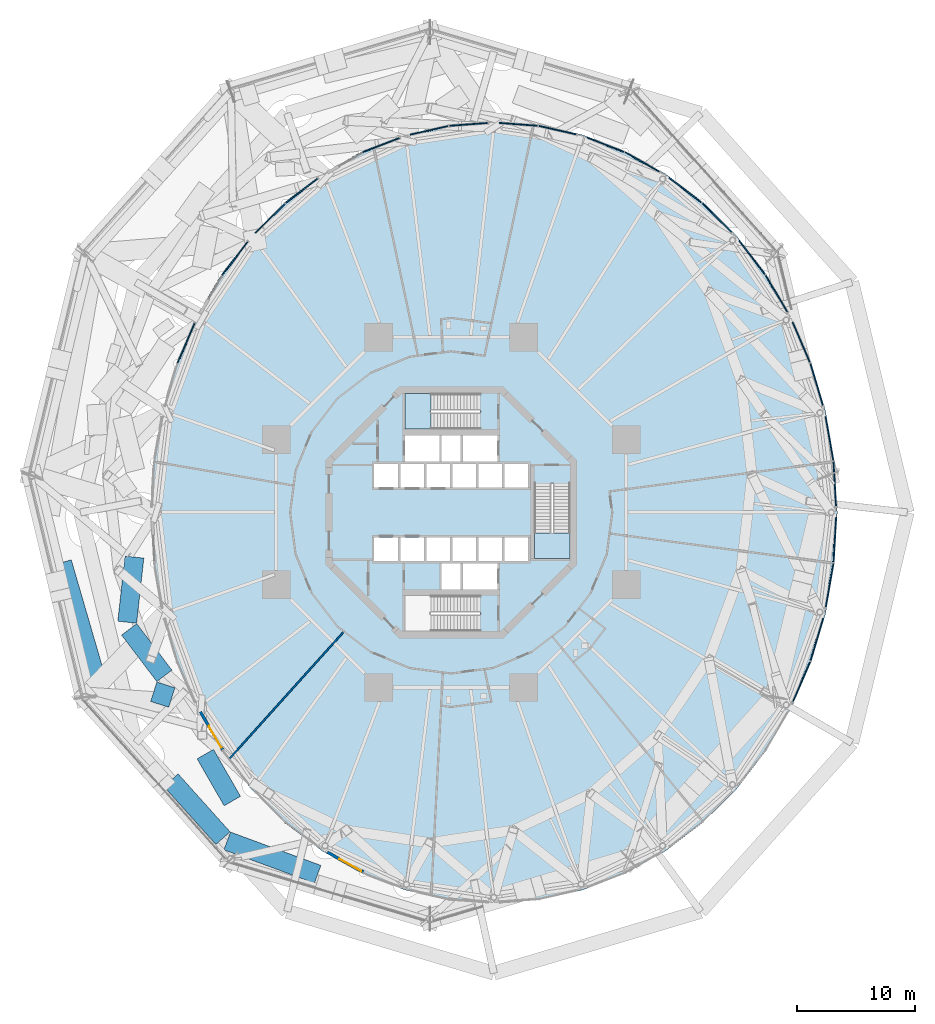
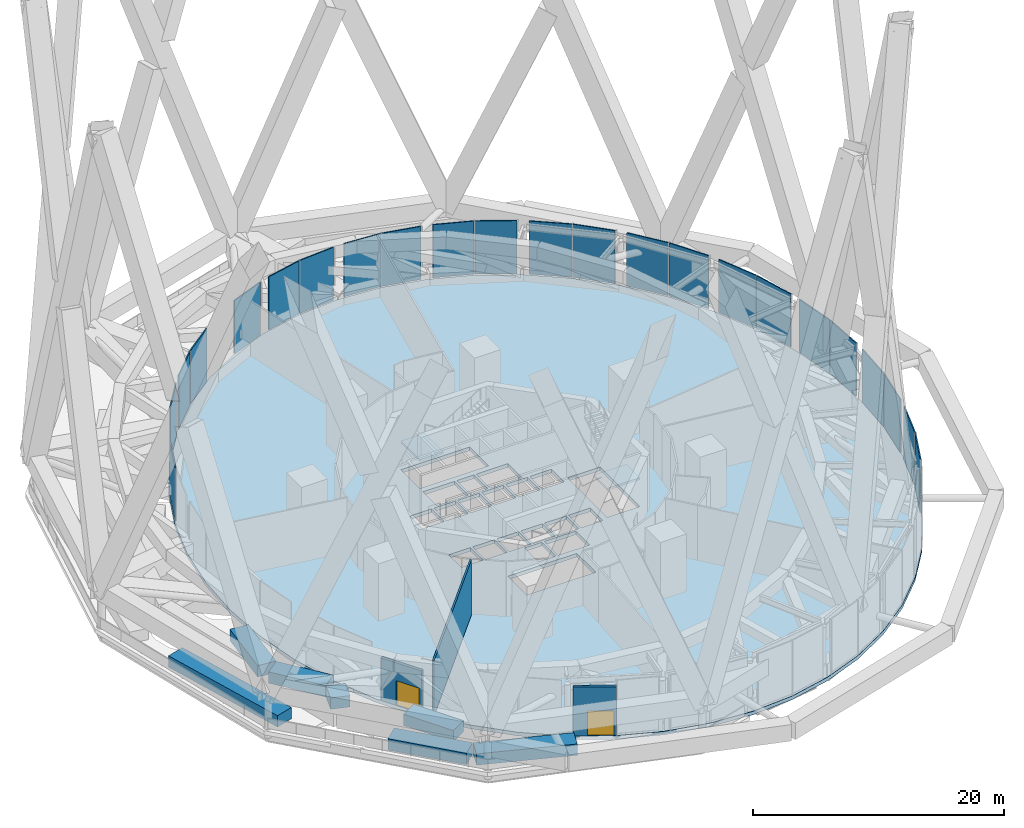
# One storey, part 38 of 51: 23 plates, 10 walls, 3 slabs, 2 doors, 2 openings, 25 elements without a shape of their own.
"""IFC4 building model written with IfcOpenShell, lengths in metres."""

from ifc_helpers import new_model, si_unit, direction, frame, frame_2d, origin, origin_2d, place, context, subcontext, project, spatial, polyline, rectangle, outline, extrude, material, layer, layer_set, type_object, element, fill, aggregate, save


model = new_model("IFC4")

# Units and contexts
model_context = context("Model", 3, precision=1e-05, world=origin(), true_north=direction((0.0, 1.0)))
body_context = subcontext(model_context, "Body", "Model", "MODEL_VIEW")
ifc_project = project(units=[si_unit("LENGTHUNIT", "METRE"), si_unit("AREAUNIT", "SQUARE_METRE"), si_unit("VOLUMEUNIT", "CUBIC_METRE"), si_unit("PLANEANGLEUNIT", "RADIAN"), si_unit("MASSUNIT", "GRAM", prefix="KILO")], contexts=[model_context])

# Site, building, storey
site_placement = place(None, origin())
site = spatial("IfcSite", under=ifc_project, at=site_placement, CompositionType="ELEMENT")
building_placement = place(site_placement, origin())
building = spatial("IfcBuilding", under=site, at=building_placement, Name="Nagisa Residences", CompositionType="ELEMENT")
storey_placement = place(building_placement, frame((0.0, 0.0, 67.699951171875)))
storey = spatial("IfcBuildingStorey", under=building, at=storey_placement, Name="L16", CompositionType="ELEMENT", Elevation=67.699951171875)

# Curtain wall, plate
ifc_material_1 = material(Name="Aluminium curtain wall system", Category="aluminium")
ifc_layer_1 = layer(ifc_material_1, 0.159912109375)
ifc_layer_set_1 = layer_set([ifc_layer_1], Name="CW2 CURTAIN WALL")
curtain_wall_type = type_object("IfcCurtainWallType", Name="CW2 CURTAIN WALL", PredefinedType="NOTDEFINED", material=ifc_layer_set_1)
curtain_wall_1_placement = place(storey_placement, origin())
curtain_wall_1 = element("IfcCurtainWall", 1, at=curtain_wall_1_placement, inside=storey, type_object=curtain_wall_type, Name="cw:CW2:L16:00", PredefinedType="NOTDEFINED")
ifc_material_2 = material(Name="Insulated metal spandrel panel")
ifc_layer_2 = layer(ifc_material_2, 0.10009765625)
ifc_layer_set_2 = layer_set([ifc_layer_2], Name="CW2 SPANDREL PANEL")
plate_type = type_object("IfcPlateType", Name="CW2 SPANDREL PANEL", PredefinedType="SHEET", material=ifc_layer_set_2)
plate_1_placement = place(storey_placement, frame((32.380859375, 2.41357421875, 0.18017578125), z_axis=(0.0, 0.0, 1.0), x_axis=(-0.057503492216, 0.998345305184, 0.0)))
plate_1 = element("IfcPlate", 2, at=plate_1_placement, type_object=plate_type, Name="CW2 spandrel panel", PredefinedType="SHEET", context=body_context, shape_type="SweptSolid", body=[
    extrude(rectangle(XDim=3.784423828125, YDim=0.10009765625, at=origin_2d()), origin(), (0.0, 0.0, 1.0), 5.159912109375),
])
aggregate(curtain_wall_1, [plate_1])

curtain_wall_2_placement = place(storey_placement, origin())
curtain_wall_2 = element("IfcCurtainWall", 3, at=curtain_wall_2_placement, inside=storey, type_object=curtain_wall_type, Name="cw:CW2:L16:01", PredefinedType="NOTDEFINED")
plate_2_placement = place(storey_placement, frame((31.934814453125, 6.228271484375, 0.18017578125), z_axis=(0.0, 0.0, 1.0), x_axis=(-0.172190868898, 0.985063604377, 0.0)))
plate_2 = element("IfcPlate", 4, at=plate_2_placement, type_object=plate_type, Name="CW2 spandrel panel", PredefinedType="SHEET", context=body_context, shape_type="SweptSolid", body=[
    extrude(rectangle(XDim=3.767822265625, YDim=0.10009765625, at=origin_2d()), origin(), (0.0, 0.0, 1.0), 5.159912109375),
])
aggregate(curtain_wall_2, [plate_2])

curtain_wall_3_placement = place(storey_placement, origin())
curtain_wall_3 = element("IfcCurtainWall", 5, at=curtain_wall_3_placement, inside=storey, type_object=curtain_wall_type, Name="cw:CW2:L16:02", PredefinedType="NOTDEFINED")
plate_3_placement = place(storey_placement, frame((30.849853515625, 10.81591796875, 0.18017578125), z_axis=(0.0, 0.0, 1.0), x_axis=(-0.285860274038, 0.958271310082, 0.0)))
plate_3 = element("IfcPlate", 6, at=plate_3_placement, type_object=plate_type, Name="CW2 spandrel panel", PredefinedType="SHEET", context=body_context, shape_type="SweptSolid", body=[
    extrude(rectangle(XDim=3.735595703125, YDim=0.10009765625, at=origin_2d()), origin(), (0.0, 0.0, 1.0), 5.159912109375),
])
aggregate(curtain_wall_3, [plate_3])

curtain_wall_4_placement = place(storey_placement, origin())
curtain_wall_4 = element("IfcCurtainWall", 7, at=curtain_wall_4_placement, inside=storey, type_object=curtain_wall_type, Name="cw:CW2:L16:03", PredefinedType="NOTDEFINED")
plate_4_placement = place(storey_placement, frame((29.5537109375, 14.36279296875, 0.18017578125), z_axis=(0.0, 0.0, 1.0), x_axis=(-0.397635934147, 0.917543276295, 0.0)))
plate_4 = element("IfcPlate", 8, at=plate_4_placement, type_object=plate_type, Name="CW2 spandrel panel", PredefinedType="SHEET", context=body_context, shape_type="SweptSolid", body=[
    extrude(rectangle(XDim=3.689453125, YDim=0.10009765625, at=origin_2d()), origin(), (0.0, 0.0, 1.0), 5.159912109375),
])
aggregate(curtain_wall_4, [plate_4])

curtain_wall_5_placement = place(storey_placement, origin())
curtain_wall_5 = element("IfcCurtainWall", 9, at=curtain_wall_5_placement, inside=storey, type_object=curtain_wall_type, Name="cw:CW2:L16:04", PredefinedType="NOTDEFINED")
plate_5_placement = place(storey_placement, frame((27.457763671875, 18.482666015625, 0.18017578125), z_axis=(0.0, 0.0, 1.0), x_axis=(-0.506348567002, 0.862328898214, 0.0)))
plate_5 = element("IfcPlate", 10, at=plate_5_placement, type_object=plate_type, Name="CW2 spandrel panel", PredefinedType="SHEET", context=body_context, shape_type="SweptSolid", body=[
    extrude(rectangle(XDim=3.632080078125, YDim=0.10009765625, at=origin_2d()), origin(), (0.0, 0.0, 1.0), 5.159912109375),
])
aggregate(curtain_wall_5, [plate_5])

curtain_wall_6_placement = place(storey_placement, origin())
curtain_wall_6 = element("IfcCurtainWall", 11, at=curtain_wall_6_placement, inside=storey, type_object=curtain_wall_type, Name="cw:CW2:L16:05", PredefinedType="NOTDEFINED")
plate_6_placement = place(storey_placement, frame((25.40625, 21.516357421875, 0.18017578125), z_axis=(0.0, 0.0, 1.0), x_axis=(-0.610429828235, 0.792070340816, 0.0)))
plate_6 = element("IfcPlate", 12, at=plate_6_placement, type_object=plate_type, Name="CW2 spandrel panel", PredefinedType="SHEET", context=body_context, shape_type="SweptSolid", body=[
    extrude(rectangle(XDim=3.5673828125, YDim=0.10009765625, at=origin_2d()), origin(), (0.0, 0.0, 1.0), 5.159912109375),
])
aggregate(curtain_wall_6, [plate_6])

curtain_wall_7_placement = place(storey_placement, origin())
curtain_wall_7 = element("IfcCurtainWall", 13, at=curtain_wall_7_placement, inside=storey, type_object=curtain_wall_type, Name="cw:CW2:L16:06", PredefinedType="NOTDEFINED")
plate_7_placement = place(storey_placement, frame((22.43603515625, 24.88818359375, 0.18017578125), z_axis=(0.0, 0.0, 1.0), x_axis=(-0.707835924016, 0.706376885714, 0.0)))
plate_7 = element("IfcPlate", 14, at=plate_7_placement, type_object=plate_type, Name="CW2 spandrel panel", PredefinedType="SHEET", context=body_context, shape_type="SweptSolid", body=[
    extrude(rectangle(XDim=3.499267578125, YDim=0.10009765625, at=origin_2d()), origin(), (0.0, 0.0, 1.0), 5.159912109375),
])
aggregate(curtain_wall_7, [plate_7])

curtain_wall_8_placement = place(storey_placement, origin())
curtain_wall_8 = element("IfcCurtainWall", 15, at=curtain_wall_8_placement, inside=storey, type_object=curtain_wall_type, Name="cw:CW2:L16:07", PredefinedType="NOTDEFINED")
plate_8_placement = place(storey_placement, frame((19.77587890625, 27.2041015625, 0.18017578125), z_axis=(0.0, 0.0, 1.0), x_axis=(-0.79603132756, 0.605255421737, 0.0)))
plate_8 = element("IfcPlate", 16, at=plate_8_placement, type_object=plate_type, Name="CW2 spandrel panel", PredefinedType="SHEET", context=body_context, shape_type="SweptSolid", body=[
    extrude(rectangle(XDim=3.432373046875, YDim=0.10009765625, at=origin_2d()), origin(), (0.0, 0.0, 1.0), 5.159912109375),
])
aggregate(curtain_wall_8, [plate_8])

curtain_wall_9_placement = place(storey_placement, origin())
curtain_wall_9 = element("IfcCurtainWall", 17, at=curtain_wall_9_placement, inside=storey, type_object=curtain_wall_type, Name="cw:CW2:L16:08", PredefinedType="NOTDEFINED")
plate_9_placement = place(storey_placement, frame((16.128662109375, 29.59326171875, 0.18017578125), z_axis=(0.0, 0.0, 1.0), x_axis=(-0.872072377523, 0.489376918501, 0.0)))
plate_9 = element("IfcPlate", 18, at=plate_9_placement, type_object=plate_type, Name="CW2 spandrel panel", PredefinedType="SHEET", context=body_context, shape_type="SweptSolid", body=[
    extrude(rectangle(XDim=3.371337890625, YDim=0.10009765625, at=origin_2d()), origin(), (0.0, 0.0, 1.0), 5.159912109375),
])
aggregate(curtain_wall_9, [plate_9])

curtain_wall_10_placement = place(storey_placement, origin())
curtain_wall_10 = element("IfcCurtainWall", 19, at=curtain_wall_10_placement, inside=storey, type_object=curtain_wall_type, Name="cw:CW2:L16:09", PredefinedType="NOTDEFINED")
plate_10_placement = place(storey_placement, frame((13.045654296875, 31.04052734375, 0.18017578125), z_axis=(0.0, 0.0, 1.0), x_axis=(-0.932825759707, 0.360327770268, 0.0)))
plate_10 = element("IfcPlate", 20, at=plate_10_placement, type_object=plate_type, Name="CW2 spandrel panel", PredefinedType="SHEET", context=body_context, shape_type="SweptSolid", body=[
    extrude(rectangle(XDim=3.32080078125, YDim=0.10009765625, at=origin_2d()), origin(), (0.0, 0.0, 1.0), 5.159912109375),
])
aggregate(curtain_wall_10, [plate_10])

curtain_wall_11_placement = place(storey_placement, origin())
curtain_wall_11 = element("IfcCurtainWall", 21, at=curtain_wall_11_placement, inside=storey, type_object=curtain_wall_type, Name="cw:CW2:L16:10", PredefinedType="NOTDEFINED")
plate_11_placement = place(storey_placement, frame((8.969482421875, 32.277099609375, 0.18017578125), z_axis=(0.0, 0.0, 1.0), x_axis=(-0.975327274089, 0.2207639201, 0.0)))
plate_11 = element("IfcPlate", 22, at=plate_11_placement, type_object=plate_type, Name="CW2 spandrel panel", PredefinedType="SHEET", context=body_context, shape_type="SweptSolid", body=[
    extrude(rectangle(XDim=3.28466796875, YDim=0.10009765625, at=origin_2d()), origin(), (0.0, 0.0, 1.0), 5.159912109375),
])
aggregate(curtain_wall_11, [plate_11])

curtain_wall_12_placement = place(storey_placement, origin())
curtain_wall_12 = element("IfcCurtainWall", 23, at=curtain_wall_12_placement, inside=storey, type_object=curtain_wall_type, Name="cw:CW2:L16:11", PredefinedType="NOTDEFINED")
plate_12_placement = place(storey_placement, frame((5.671142578125, 32.765380859375, 0.18017578125), z_axis=(0.0, 0.0, 1.0), x_axis=(-0.997230168512, 0.074377355493, 0.0)))
plate_12 = element("IfcPlate", 24, at=plate_12_placement, type_object=plate_type, Name="CW2 spandrel panel", PredefinedType="SHEET", context=body_context, shape_type="SweptSolid", body=[
    extrude(rectangle(XDim=3.265869140625, YDim=0.10009765625, at=origin_2d()), origin(), (0.0, 0.0, 1.0), 5.159912109375),
])
aggregate(curtain_wall_12, [plate_12])

curtain_wall_13_placement = place(storey_placement, origin())
curtain_wall_13 = element("IfcCurtainWall", 25, at=curtain_wall_13_placement, inside=storey, type_object=curtain_wall_type, Name="cw:CW2:L16:12", PredefinedType="NOTDEFINED")
plate_13_placement = place(storey_placement, frame((1.448974609375, 32.75927734375, 0.18017578125), z_axis=(0.0, 0.0, 1.0), x_axis=(-0.997230168512, -0.074377355493, 0.0)))
plate_13 = element("IfcPlate", 26, at=plate_13_placement, type_object=plate_type, Name="CW2 spandrel panel", PredefinedType="SHEET", context=body_context, shape_type="SweptSolid", body=[
    extrude(rectangle(XDim=3.265869140625, YDim=0.10009765625, at=origin_2d()), origin(), (0.0, 0.0, 1.0), 5.159912109375),
])
aggregate(curtain_wall_13, [plate_13])

curtain_wall_14_placement = place(storey_placement, origin())
curtain_wall_14 = element("IfcCurtainWall", 27, at=curtain_wall_14_placement, inside=storey, type_object=curtain_wall_type, Name="cw:CW2:L16:13", PredefinedType="NOTDEFINED")
plate_14_placement = place(storey_placement, frame((-1.847412109375, 32.259521484375, 0.18017578125), z_axis=(0.0, 0.0, 1.0), x_axis=(-0.975327274089, -0.2207639201, 0.0)))
plate_14 = element("IfcPlate", 28, at=plate_14_placement, type_object=plate_type, Name="CW2 spandrel panel", PredefinedType="SHEET", context=body_context, shape_type="SweptSolid", body=[
    extrude(rectangle(XDim=3.28466796875, YDim=0.10009765625, at=origin_2d()), origin(), (0.0, 0.0, 1.0), 5.159912109375),
])
aggregate(curtain_wall_14, [plate_14])

curtain_wall_15_placement = place(storey_placement, origin())
curtain_wall_15 = element("IfcCurtainWall", 29, at=curtain_wall_15_placement, inside=storey, type_object=curtain_wall_type, Name="cw:CW2:L16:14", PredefinedType="NOTDEFINED")
plate_15_placement = place(storey_placement, frame((-5.920166015625, 31.01171875, 0.18017578125), z_axis=(0.0, 0.0, 1.0), x_axis=(-0.932825759707, -0.360327770268, 0.0)))
plate_15 = element("IfcPlate", 30, at=plate_15_placement, type_object=plate_type, Name="CW2 spandrel panel", PredefinedType="SHEET", context=body_context, shape_type="SweptSolid", body=[
    extrude(rectangle(XDim=3.32080078125, YDim=0.10009765625, at=origin_2d()), origin(), (0.0, 0.0, 1.0), 5.159912109375),
])
aggregate(curtain_wall_15, [plate_15])

curtain_wall_16_placement = place(storey_placement, origin())
curtain_wall_16 = element("IfcCurtainWall", 31, at=curtain_wall_16_placement, inside=storey, type_object=curtain_wall_type, Name="cw:CW2:L16:16", PredefinedType="NOTDEFINED")
plate_16_placement = place(storey_placement, frame((-12.6396484375, 27.15576171875, 0.18017578125), z_axis=(0.0, 0.0, 1.0), x_axis=(-0.79603132756, -0.605255421737, 0.0)))
plate_16 = element("IfcPlate", 32, at=plate_16_placement, type_object=plate_type, Name="CW2 spandrel panel", PredefinedType="SHEET", context=body_context, shape_type="SweptSolid", body=[
    extrude(rectangle(XDim=3.432373046875, YDim=0.10009765625, at=origin_2d()), origin(), (0.0, 0.0, 1.0), 5.159912109375),
])
aggregate(curtain_wall_16, [plate_16])

curtain_wall_17_placement = place(storey_placement, origin())
curtain_wall_17 = element("IfcCurtainWall", 33, at=curtain_wall_17_placement, inside=storey, type_object=curtain_wall_type, Name="cw:CW2:L16:17", PredefinedType="NOTDEFINED")
plate_17_placement = place(storey_placement, frame((-15.292724609375, 24.83154296875, 0.18017578125), z_axis=(0.0, 0.0, 1.0), x_axis=(-0.707835924016, -0.706376885714, 0.0)))
plate_17 = element("IfcPlate", 34, at=plate_17_placement, type_object=plate_type, Name="CW2 spandrel panel", PredefinedType="SHEET", context=body_context, shape_type="SweptSolid", body=[
    extrude(rectangle(XDim=3.499267578125, YDim=0.10009765625, at=origin_2d()), origin(), (0.0, 0.0, 1.0), 5.159912109375),
])
aggregate(curtain_wall_17, [plate_17])

curtain_wall_18_placement = place(storey_placement, origin())
curtain_wall_18 = element("IfcCurtainWall", 35, at=curtain_wall_18_placement, inside=storey, type_object=curtain_wall_type, Name="cw:CW2:L16:18", PredefinedType="NOTDEFINED")
plate_18_placement = place(storey_placement, frame((-18.255126953125, 21.453125, 0.18017578125), z_axis=(0.0, 0.0, 1.0), x_axis=(-0.610429828235, -0.792070340816, 0.0)))
plate_18 = element("IfcPlate", 36, at=plate_18_placement, type_object=plate_type, Name="CW2 spandrel panel", PredefinedType="SHEET", context=body_context, shape_type="SweptSolid", body=[
    extrude(rectangle(XDim=3.5673828125, YDim=0.10009765625, at=origin_2d()), origin(), (0.0, 0.0, 1.0), 5.159912109375),
])
aggregate(curtain_wall_18, [plate_18])

curtain_wall_19_placement = place(storey_placement, origin())
curtain_wall_19 = element("IfcCurtainWall", 37, at=curtain_wall_19_placement, inside=storey, type_object=curtain_wall_type, Name="cw:CW2:L16:20", PredefinedType="NOTDEFINED")
plate_19_placement = place(storey_placement, frame((-22.385498046875, 14.289306640625, 0.18017578125), z_axis=(0.0, 0.0, 1.0), x_axis=(-0.397635934147, -0.917543276295, 0.0)))
plate_19 = element("IfcPlate", 38, at=plate_19_placement, type_object=plate_type, Name="CW2 spandrel panel", PredefinedType="SHEET", context=body_context, shape_type="SweptSolid", body=[
    extrude(rectangle(XDim=3.689453125, YDim=0.10009765625, at=origin_2d()), origin(), (0.0, 0.0, 1.0), 5.159912109375),
])
aggregate(curtain_wall_19, [plate_19])

curtain_wall_20_placement = place(storey_placement, origin())
curtain_wall_20 = element("IfcCurtainWall", 39, at=curtain_wall_20_placement, inside=storey, type_object=curtain_wall_type, Name="cw:CW2:L16:44", PredefinedType="NOTDEFINED")
plate_20_placement = place(storey_placement, frame((29.585693359375, -14.289306640625, 0.18017578125), z_axis=(0.0, 0.0, 1.0), x_axis=(0.397635934147, 0.917543276295, 0.0)))
plate_20 = element("IfcPlate", 40, at=plate_20_placement, type_object=plate_type, Name="CW2 spandrel panel", PredefinedType="SHEET", context=body_context, shape_type="SweptSolid", body=[
    extrude(rectangle(XDim=3.689453125, YDim=0.10009765625, at=origin_2d()), origin(), (0.0, 0.0, 1.0), 5.159912109375),
])
aggregate(curtain_wall_20, [plate_20])

curtain_wall_21_placement = place(storey_placement, origin())
curtain_wall_21 = element("IfcCurtainWall", 41, at=curtain_wall_21_placement, inside=storey, type_object=curtain_wall_type, Name="cw:CW2:L16:45", PredefinedType="NOTDEFINED")
plate_21_placement = place(storey_placement, frame((30.87255859375, -10.7392578125, 0.18017578125), z_axis=(0.0, 0.0, 1.0), x_axis=(0.285860274038, 0.958271310082, 0.0)))
plate_21 = element("IfcPlate", 42, at=plate_21_placement, type_object=plate_type, Name="CW2 spandrel panel", PredefinedType="SHEET", context=body_context, shape_type="SweptSolid", body=[
    extrude(rectangle(XDim=3.735595703125, YDim=0.10009765625, at=origin_2d()), origin(), (0.0, 0.0, 1.0), 5.159912109375),
])
aggregate(curtain_wall_21, [plate_21])

curtain_wall_22_placement = place(storey_placement, origin())
curtain_wall_22 = element("IfcCurtainWall", 43, at=curtain_wall_22_placement, inside=storey, type_object=curtain_wall_type, Name="cw:CW2:L16:46", PredefinedType="NOTDEFINED")
plate_22_placement = place(storey_placement, frame((31.94873046875, -6.1494140625, 0.18017578125), z_axis=(0.0, 0.0, 1.0), x_axis=(0.172190868898, 0.985063604377, 0.0)))
plate_22 = element("IfcPlate", 44, at=plate_22_placement, type_object=plate_type, Name="CW2 spandrel panel", PredefinedType="SHEET", context=body_context, shape_type="SweptSolid", body=[
    extrude(rectangle(XDim=3.767822265625, YDim=0.10009765625, at=origin_2d()), origin(), (0.0, 0.0, 1.0), 5.159912109375),
])
aggregate(curtain_wall_22, [plate_22])

curtain_wall_23_placement = place(storey_placement, origin())
curtain_wall_23 = element("IfcCurtainWall", 45, at=curtain_wall_23_placement, inside=storey, type_object=curtain_wall_type, Name="cw:CW2:L16:47", PredefinedType="NOTDEFINED")
plate_23_placement = place(storey_placement, frame((32.385498046875, -2.333740234375, 0.18017578125), z_axis=(0.0, 0.0, 1.0), x_axis=(0.057503492216, 0.998345305184, 0.0)))
plate_23 = element("IfcPlate", 46, at=plate_23_placement, type_object=plate_type, Name="CW2 spandrel panel", PredefinedType="SHEET", context=body_context, shape_type="SweptSolid", body=[
    extrude(rectangle(XDim=3.784423828125, YDim=0.10009765625, at=origin_2d()), origin(), (0.0, 0.0, 1.0), 5.159912109375),
])
aggregate(curtain_wall_23, [plate_23])

# Slab
ifc_material_3 = material(Name="Concrete C40", Category="concrete")
ifc_layer_3 = layer(ifc_material_3, 0.35009765625)
ifc_layer_set_3 = layer_set([ifc_layer_3], Name="Floor slab 350")
slab_type_1 = type_object("IfcSlabType", Name="Floor slab 350", PredefinedType="FLOOR", material=ifc_layer_set_3)
slab_1_placement = place(storey_placement, frame((0.0, 0.0, -0.349853515625)))
element("IfcSlab", 47, at=slab_1_placement, inside=storey, type_object=slab_type_1, Name="slab:L16:floor", PredefinedType="FLOOR", context=body_context, shape_type="SweptSolid", body=[
    extrude(outline(polyline([(32.60009765625, 0.0), (32.351806640625, 4.307373046875), (31.61181640625, 8.541015625), (30.392578125, 12.628662109375), (28.71484375, 16.5), (26.607177734375, 20.089111328125), (24.106201171875, 23.33447265625), (21.254150390625, 26.1806640625), (18.10009765625, 28.578857421875), (14.69775390625, 30.488037109375), (11.105712890625, 31.87548828125), (7.38525390625, 32.7177734375), (3.60009765625, 33.0), (-0.185302734375, 32.7177734375), (-3.90576171875, 31.87548828125), (-7.497802734375, 30.488037109375), (-10.89990234375, 28.578857421875), (-14.05419921875, 26.1806640625), (-16.906005859375, 23.33447265625), (-19.4072265625, 20.089111328125), (-21.5146484375, 16.5), (-23.192626953125, 12.628662109375), (-24.411865234375, 8.541015625), (-25.15185546875, 4.307373046875), (-25.39990234375, 0.0), (-25.15185546875, -4.307373046875), (-24.411865234375, -8.541015625), (-23.192626953125, -12.628662109375), (-21.5146484375, -16.5), (-19.4072265625, -20.089111328125), (-16.906005859375, -23.33447265625), (-14.05419921875, -26.1806640625), (-10.89990234375, -28.578857421875), (-7.497802734375, -30.488037109375), (-3.90576171875, -31.87548828125), (-0.185302734375, -32.7177734375), (3.60009765625, -33.0), (7.38525390625, -32.7177734375), (11.105712890625, -31.87548828125), (14.69775390625, -30.488037109375), (18.10009765625, -28.578857421875), (21.254150390625, -26.1806640625), (24.106201171875, -23.33447265625), (26.607177734375, -20.089111328125), (28.71484375, -16.5), (30.392578125, -12.628662109375), (31.61181640625, -8.541015625), (32.351806640625, -4.307373046875), (32.60009765625, 0.0)]), holes=[polyline([(-4.5, 2.10009765625), (-4.5, 4.10009765625), (-6.5, 4.10009765625), (-6.5, 2.10009765625), (-4.5, 2.10009765625)]), polyline([(-2.300048828125, 2.10009765625), (-2.300048828125, 4.10009765625), (-4.300048828125, 4.10009765625), (-4.300048828125, 2.10009765625), (-2.300048828125, 2.10009765625)]), polyline([(-0.10009765625, 2.10009765625), (-0.10009765625, 4.10009765625), (-2.10009765625, 4.10009765625), (-2.10009765625, 2.10009765625), (-0.10009765625, 2.10009765625)]), polyline([(2.10009765625, 2.10009765625), (2.10009765625, 4.10009765625), (0.10009765625, 4.10009765625), (0.10009765625, 2.10009765625), (2.10009765625, 2.10009765625)]), polyline([(4.300048828125, 2.10009765625), (4.300048828125, 4.10009765625), (2.300048828125, 4.10009765625), (2.300048828125, 2.10009765625), (4.300048828125, 2.10009765625)]), polyline([(6.5, 2.10009765625), (6.5, 4.10009765625), (4.5, 4.10009765625), (4.5, 2.10009765625), (6.5, 2.10009765625)]), polyline([(-4.5, -4.10009765625), (-4.5, -2.10009765625), (-6.5, -2.10009765625), (-6.5, -4.10009765625), (-4.5, -4.10009765625)]), polyline([(-2.300048828125, -4.10009765625), (-2.300048828125, -2.10009765625), (-4.300048828125, -2.10009765625), (-4.300048828125, -4.10009765625), (-2.300048828125, -4.10009765625)]), polyline([(-0.10009765625, -4.10009765625), (-0.10009765625, -2.10009765625), (-2.10009765625, -2.10009765625), (-2.10009765625, -4.10009765625), (-0.10009765625, -4.10009765625)]), polyline([(2.10009765625, -4.10009765625), (2.10009765625, -2.10009765625), (0.10009765625, -2.10009765625), (0.10009765625, -4.10009765625), (2.10009765625, -4.10009765625)]), polyline([(4.300048828125, -4.10009765625), (4.300048828125, -2.10009765625), (2.300048828125, -2.10009765625), (2.300048828125, -4.10009765625), (4.300048828125, -4.10009765625)]), polyline([(6.5, -4.10009765625), (6.5, -2.10009765625), (4.5, -2.10009765625), (4.5, -4.10009765625), (6.5, -4.10009765625)]), polyline([(3.89990234375, 4.300048828125), (3.89990234375, 6.5), (1.0, 6.5), (1.0, 4.300048828125), (3.89990234375, 4.300048828125)]), polyline([(3.89990234375, -6.5), (3.89990234375, -4.300048828125), (1.0, -4.300048828125), (1.0, -6.5), (3.89990234375, -6.5)]), polyline([(-1.0, 4.300048828125), (-1.0, 6.5), (-3.89990234375, 6.5), (-3.89990234375, 4.300048828125), (-1.0, 4.300048828125)]), polyline([(0.800048828125, 4.300048828125), (0.800048828125, 6.5), (-0.800048828125, 6.5), (-0.800048828125, 4.300048828125), (0.800048828125, 4.300048828125)]), polyline([(0.800048828125, -6.5), (0.800048828125, -4.300048828125), (-0.800048828125, -4.300048828125), (-0.800048828125, -6.5), (0.800048828125, -6.5)]), polyline([(10.024658203125, -3.89990234375), (7.024658203125, -3.89990234375), (7.024658203125, 2.425048828125), (10.024658203125, 2.425048828125), (10.024658203125, -3.89990234375)]), polyline([(-3.89990234375, 7.024658203125), (-3.89990234375, 10.024658203125), (2.425048828125, 10.024658203125), (2.425048828125, 7.024658203125), (-3.89990234375, 7.024658203125)]), polyline([(-3.89990234375, -10.024658203125), (-3.89990234375, -7.024658203125), (2.425048828125, -7.024658203125), (2.425048828125, -10.024658203125), (-3.89990234375, -10.024658203125)])]), origin(), (0.0, 0.0, 1.0), 0.349853515625),
])

# Stair, slab
ifc_material_4 = material(Name="Concrete C60", Category="concrete")
stair_type = type_object("IfcStairType", Name="Exit stair", PredefinedType="HALF_TURN_STAIR", material=ifc_material_4)
stair_1_placement = place(storey_placement, origin())
stair_1 = element("IfcStair", 48, at=stair_1_placement, inside=storey, type_object=stair_type, Name="L16 Exit stair E", PredefinedType="HALF_TURN_STAIR")
ifc_material_5 = material(Name="Concrete C60", Category="concrete")
ifc_layer_4 = layer(ifc_material_5, 0.199951171875)
ifc_layer_set_4 = layer_set([ifc_layer_4], Name="Stair landing")
slab_type_2 = type_object("IfcSlabType", Name="Stair landing", PredefinedType="LANDING", material=ifc_layer_set_4)
slab_2_placement = place(storey_placement, frame((0.0, 0.0, 2.60009765625)))
slab_2 = element("IfcSlab", 49, at=slab_2_placement, type_object=slab_type_2, Name="ST-E landing 1", PredefinedType="LANDING", context=body_context, shape_type="SweptSolid", body=[
    extrude(outline(polyline([(7.024658203125, -1.72509765625), (7.024658203125, -3.89990234375), (10.024658203125, -3.89990234375), (10.024658203125, -1.72509765625), (7.024658203125, -1.72509765625)])), origin(), (0.0, 0.0, 1.0), 0.199951171875),
])
aggregate(stair_1, [slab_2])

stair_2_placement = place(storey_placement, origin())
stair_2 = element("IfcStair", 50, at=stair_2_placement, inside=storey, type_object=stair_type, Name="L16 Exit stair N", PredefinedType="HALF_TURN_STAIR")
slab_3_placement = place(storey_placement, frame((0.0, 0.0, 2.60009765625)))
slab_3 = element("IfcSlab", 51, at=slab_3_placement, type_object=slab_type_2, Name="ST-N landing 1", PredefinedType="LANDING", context=body_context, shape_type="SweptSolid", body=[
    extrude(outline(polyline([(-1.72509765625, 10.024658203125), (-3.89990234375, 10.024658203125), (-3.89990234375, 7.024658203125), (-1.72509765625, 7.024658203125), (-1.72509765625, 10.024658203125)])), origin(), (0.0, 0.0, 1.0), 0.199951171875),
])
aggregate(stair_2, [slab_3])

# Wall, opening, door
ifc_material_6 = material(Name="Precast concrete C40/50", Category="concrete")
ifc_layer_5 = layer(ifc_material_6, 0.25)
ifc_layer_set_5 = layer_set([ifc_layer_5], Name="BALCONY DOOR WALL 250")
wall_type_1 = type_object("IfcWallType", Name="BALCONY DOOR WALL 250", PredefinedType="SOLIDWALL", material=ifc_layer_set_5)
wall_1_placement = place(storey_placement, frame((-19.299560546875, -20.02587890625, 0.0), z_axis=(0.0, 0.0, 1.0), x_axis=(-0.506338799739, 0.862334633352, 0.0)))
wall_1 = element("IfcWall", 52, at=wall_1_placement, inside=storey, type_object=wall_type_1, Name="wall:L16:bay28", PredefinedType="SOLIDWALL", context=body_context, shape_type="SweptSolid", body=[
    extrude(rectangle(XDim=3.712158203125, YDim=0.25, at=frame_2d((1.85595703125, 0.0))), origin(), (0.0, 0.0, 1.0), 4.14013671875),
])
opening_1_placement = place(wall_1_placement, frame((0.2060546875, 0.0, 0.0)))
opening_1 = element("IfcOpeningElement", 53, at=opening_1_placement, cuts=wall_1, Name="Opening BD-L16-04", PredefinedType="OPENING", context=body_context, shape_type="SweptSolid", body=[
    extrude(rectangle(XDim=2.10009765625, YDim=2.39990234375, at=frame_2d((1.050048828125, 1.199951171875))), frame((0.0, 0.135009765625, 0.0), z_axis=(0.0, -1.0, 0.0), x_axis=(1.0, 0.0, 0.0)), (0.0, 0.0, 1.0), 0.27001953125),
])
ifc_material_7 = material(Name="Aluminium and clear glass", Category="aluminium")
door_type = type_object("IfcDoorType", Name="BALCONY SLIDING DOOR 2100x2400", OperationType="SLIDING_TO_LEFT", PredefinedType="DOOR", material=ifc_material_7)
door_1_placement = place(opening_1_placement, origin())
door_1 = element("IfcDoor", 54, at=door_1_placement, inside=storey, type_object=door_type, Name="door:L16:bay28", OperationType="SLIDING_TO_LEFT", OverallHeight=2.39990234375, OverallWidth=2.10009765625, PredefinedType="DOOR", context=body_context, shape_type="SweptSolid", body=[
    extrude(rectangle(XDim=2.10009765625, YDim=2.39990234375, at=frame_2d((1.050048828125, 1.199951171875))), frame((0.0, 0.02490234375, 0.0), z_axis=(0.0, -1.0, 0.0), x_axis=(1.0, 0.0, 0.0)), (0.0, 0.0, 1.0), 0.050048828125),
])
fill(opening_1, door_1)

wall_2_placement = place(storey_placement, frame((-7.436767578125, -30.37890625, 0.0), z_axis=(0.0, 0.0, 1.0), x_axis=(-0.872056886807, 0.489404522019, 0.0)))
wall_2 = element("IfcWall", 55, at=wall_2_placement, inside=storey, type_object=wall_type_1, Name="wall:L16:bay32", PredefinedType="SOLIDWALL", context=body_context, shape_type="SweptSolid", body=[
    extrude(rectangle(XDim=3.451171875, YDim=0.25, at=frame_2d((1.7255859375, 0.0))), origin(), (0.0, 0.0, 1.0), 4.737060546875),
])
opening_2_placement = place(wall_2_placement, frame((0.175537109375, 0.0, 0.0)))
opening_2 = element("IfcOpeningElement", 56, at=opening_2_placement, cuts=wall_2, Name="Opening BD-L16-05", PredefinedType="OPENING", context=body_context, shape_type="SweptSolid", body=[
    extrude(rectangle(XDim=2.10009765625, YDim=2.39990234375, at=frame_2d((1.050048828125, 1.199951171875))), frame((0.0, 0.135009765625, 0.0), z_axis=(0.0, -1.0, 0.0), x_axis=(1.0, 0.0, 0.0)), (0.0, 0.0, 1.0), 0.27001953125),
])
door_2_placement = place(opening_2_placement, origin())
door_2 = element("IfcDoor", 57, at=door_2_placement, inside=storey, type_object=door_type, Name="door:L16:bay32", OperationType="SLIDING_TO_LEFT", OverallHeight=2.39990234375, OverallWidth=2.10009765625, PredefinedType="DOOR", context=body_context, shape_type="SweptSolid", body=[
    extrude(rectangle(XDim=2.10009765625, YDim=2.39990234375, at=frame_2d((1.050048828125, 1.199951171875))), frame((0.0, 0.02490234375, 0.0), z_axis=(0.0, -1.0, 0.0), x_axis=(1.0, 0.0, 0.0)), (0.0, 0.0, 1.0), 0.050048828125),
])
fill(opening_2, door_2)

# Walls
ifc_material_8 = material(Name="Precast concrete C30/37", Category="concrete")
ifc_layer_6 = layer(ifc_material_8, 1.60009765625)
ifc_layer_set_6 = layer_set([ifc_layer_6], Name="PLANTER")
wall_type_2 = type_object("IfcWallType", Name="PLANTER", PredefinedType="SOLIDWALL", material=ifc_layer_set_6)
wall_3_placement = place(storey_placement, frame((-29.486572265625, -15.7568359375, 0.0), z_axis=(0.0, 0.0, 1.0), x_axis=(-0.2794606989, 0.960157131812, 0.0)))
element("IfcWall", 58, at=wall_3_placement, inside=storey, type_object=wall_type_2, Name="planter:L16:deck002", PredefinedType="SOLIDWALL", context=body_context, shape_type="SweptSolid", body=[
    extrude(rectangle(XDim=12.012939453125, YDim=1.60009765625, at=frame_2d((6.00634765625, 0.0))), origin(), (0.0, 0.0, 1.0), 1.10009765625),
])
wall_4_placement = place(storey_placement, frame((-27.18701171875, -9.873779296875, 0.0), z_axis=(0.0, 0.0, 1.0), x_axis=(0.603738339335, -0.797182549745, 0.0)))
element("IfcWall", 59, at=wall_4_placement, inside=storey, type_object=wall_type_2, Name="planter:L16:deck004", PredefinedType="SOLIDWALL", context=body_context, shape_type="SweptSolid", body=[
    extrude(rectangle(XDim=4.92333984375, YDim=1.60009765625, at=frame_2d((2.461669921875, 0.0))), origin(), (0.0, 0.0, 1.0), 1.10009765625),
])
wall_5_placement = place(storey_placement, frame((-26.7451171875, -3.767333984375, 0.0), z_axis=(0.0, 0.0, 1.0), x_axis=(-0.11004409154, -0.993926706512, 0.0)))
element("IfcWall", 60, at=wall_5_placement, inside=storey, type_object=wall_type_2, Name="planter:L16:deck006", PredefinedType="SOLIDWALL", context=body_context, shape_type="SweptSolid", body=[
    extrude(rectangle(XDim=5.533203125, YDim=1.60009765625, at=frame_2d((2.7666015625, 0.0))), origin(), (0.0, 0.0, 1.0), 1.10009765625),
])
wall_6_placement = place(storey_placement, frame((-24.08447265625, -14.560302734375, 0.0), z_axis=(0.0, 0.0, 1.0), x_axis=(-0.304632172772, -0.95247007266, 0.0)))
element("IfcWall", 61, at=wall_6_placement, inside=storey, type_object=wall_type_2, Name="planter:L16:deck008", PredefinedType="SOLIDWALL", context=body_context, shape_type="SweptSolid", body=[
    extrude(rectangle(XDim=1.727783203125, YDim=1.60009765625, at=frame_2d((0.86376953125, 0.0))), origin(), (0.0, 0.0, 1.0), 1.10009765625),
])
wall_7_placement = place(storey_placement, frame((-20.75830078125, -20.405029296875, 0.0), z_axis=(0.0, 0.0, 1.0), x_axis=(0.498299562328, -0.867004928581, 0.0)))
element("IfcWall", 62, at=wall_7_placement, inside=storey, type_object=wall_type_2, Name="planter:L16:deck010", PredefinedType="SOLIDWALL", context=body_context, shape_type="SweptSolid", body=[
    extrude(rectangle(XDim=4.572265625, YDim=1.60009765625, at=frame_2d((2.2861328125, 0.0))), origin(), (0.0, 0.0, 1.0), 1.10009765625),
])
wall_8_placement = place(storey_placement, frame((-19.261474609375, -27.497314453125, 0.0), z_axis=(0.0, 0.0, 1.0), x_axis=(-0.668110687062, 0.744061899194, 0.0)))
element("IfcWall", 63, at=wall_8_placement, inside=storey, type_object=wall_type_2, Name="planter:L16:deck012", PredefinedType="SOLIDWALL", context=body_context, shape_type="SweptSolid", body=[
    extrude(rectangle(XDim=6.573486328125, YDim=1.60009765625, at=frame_2d((3.28662109375, 0.0))), origin(), (0.0, 0.0, 1.0), 1.10009765625),
])
wall_9_placement = place(storey_placement, frame((-11.27490234375, -30.5517578125, 0.0), z_axis=(0.0, 0.0, 1.0), x_axis=(-0.938217579565, 0.346045912264, 0.0)))
element("IfcWall", 64, at=wall_9_placement, inside=storey, type_object=wall_type_2, Name="planter:L16:deck015", PredefinedType="SOLIDWALL", context=body_context, shape_type="SweptSolid", body=[
    extrude(rectangle(XDim=8.138916015625, YDim=1.60009765625, at=frame_2d((4.0693359375, 0.0))), origin(), (0.0, 0.0, 1.0), 1.10009765625),
])
ifc_material_9 = material(Name="Gypsum board on steel studs", Category="steel")
ifc_layer_7 = layer(ifc_material_9, 0.14990234375)
ifc_layer_set_7 = layer_set([ifc_layer_7], Name="Room partition EI60 150")
wall_type_3 = type_object("IfcWallType", Name="Room partition EI60 150", PredefinedType="PARTITIONING", material=ifc_layer_set_7)
wall_10_placement = place(storey_placement, frame((-9.1005859375, -10.107177734375, 0.0), z_axis=(0.0, 0.0, 1.0), x_axis=(-0.669132472721, -0.743143144994, 0.0)))
element("IfcWall", 65, at=wall_10_placement, inside=storey, type_object=wall_type_3, Name="wall:L16:am009", PredefinedType="PARTITIONING", context=body_context, shape_type="SweptSolid", body=[
    extrude(rectangle(XDim=14.392333984375, YDim=0.14990234375, at=frame_2d((7.1962890625, 0.0))), origin(), (0.0, 0.0, 1.0), 5.340087890625),
])

save(model, "model.ifc")
